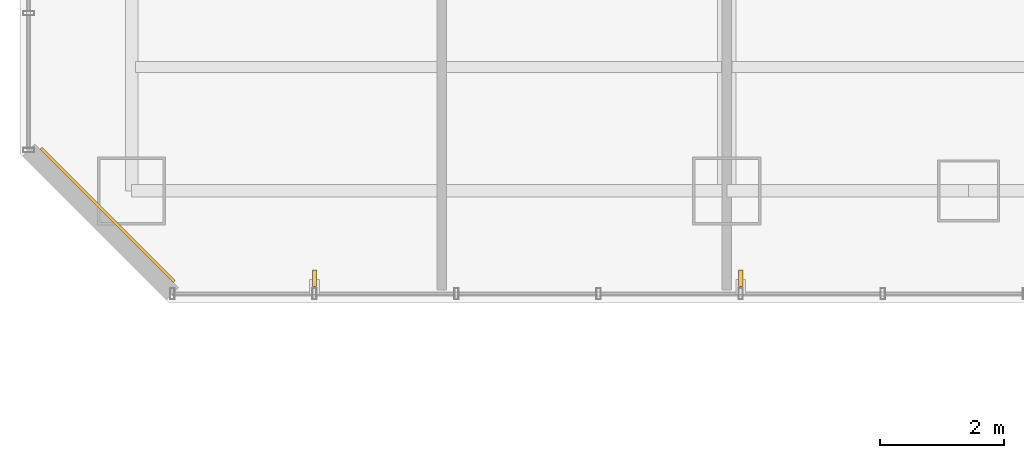
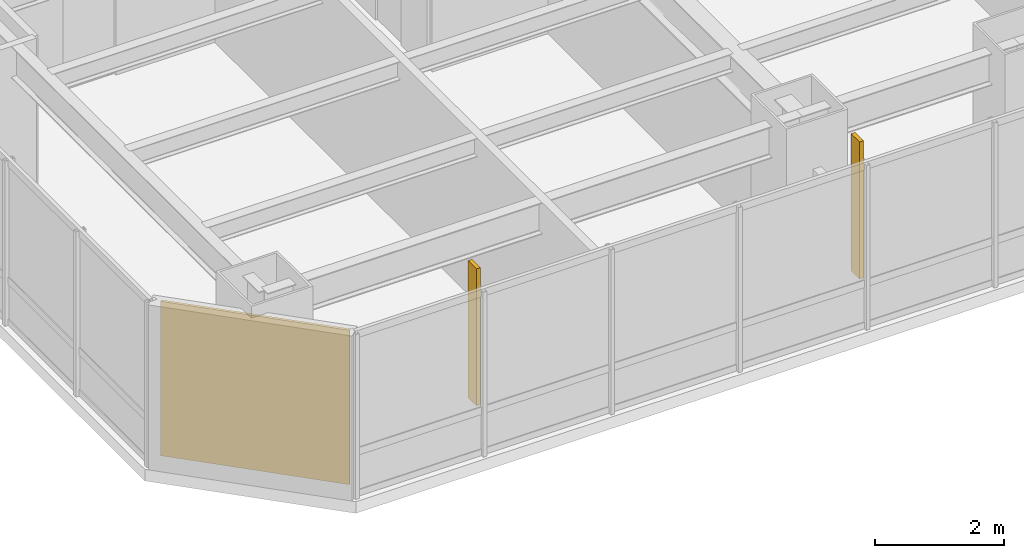
# One storey, part 28 of 32: 2 shading devices, 1 covering.
"""IFC4 building model written with IfcOpenShell, lengths in metres."""

from ifc_helpers import new_model, si_unit, direction, frame, origin, origin_2d, place, context, subcontext, project, spatial, rectangle, extrude, material, layer, layer_set, type_object, element, save


model = new_model("IFC4")

# Units and contexts
model_context = context("Model", 3, precision=1e-05, world=origin(), true_north=direction((0.0, 1.0)))
body_context = subcontext(model_context, "Body", "Model", "MODEL_VIEW")
ifc_project = project(units=[si_unit("LENGTHUNIT", "METRE"), si_unit("AREAUNIT", "SQUARE_METRE"), si_unit("VOLUMEUNIT", "CUBIC_METRE"), si_unit("PLANEANGLEUNIT", "RADIAN"), si_unit("MASSUNIT", "GRAM", prefix="KILO")], contexts=[model_context])

# Site, building, storey
site_placement = place(None, origin())
site = spatial("IfcSite", under=ifc_project, at=site_placement, CompositionType="ELEMENT")
building_placement = place(site_placement, origin())
building = spatial("IfcBuilding", under=site, at=building_placement, Name="Hatsunagi Terrace Concourse", CompositionType="ELEMENT")
storey_placement = place(building_placement, frame((0.0, 0.0, 46.64990234375)))
storey = spatial("IfcBuildingStorey", under=building, at=storey_placement, Name="L11", CompositionType="ELEMENT", Elevation=46.64990234375)

# Shading devices
ifc_material_1 = material(Name="Extruded Unglazed Terracotta Baguette", Category="masonry")
shading_device_type = type_object("IfcShadingDeviceType", Name="TerracottaFinScreen_260x70", PredefinedType="USERDEFINED", material=ifc_material_1)
for number, where, z_axis, x_axis, name in (
    (1, (11.625, 23.7900390625, 0.85009765625), (0.0, 0.0, 1.0), (-1.0, 0.0, 0.0), "Terracotta Baguette Fin Screen SCR-01"),
    (2, (4.75, 23.7900390625, 0.85009765625), (0.0, 0.0, 1.0), (-1.0, 0.0, 0.0), "Terracotta Baguette Fin Screen SCR-01"),
):
    element("IfcShadingDevice", number, at=place(storey_placement, frame(where, z_axis=z_axis, x_axis=x_axis)), inside=storey, type_object=shading_device_type, Name=name, ObjectType="SUNSHADE", PredefinedType="USERDEFINED", context=body_context, shape_type="SweptSolid", body=[
        extrude(rectangle(XDim=0.070068359375, YDim=0.260009765625, at=origin_2d()), origin(), (0.0, 0.0, 1.0), 2.60009765625),
    ])

# Covering
ifc_material_2 = material(Name="Unglazed Warm Terracotta Rainscreen Tile", Category="masonry")
ifc_layer = layer(ifc_material_2, 0.044921875)
ifc_layer_set = layer_set([ifc_layer], Name="TerracottaRainscreenCladding_45")
covering_type = type_object("IfcCoveringType", Name="TerracottaRainscreenCladding_45", PredefinedType="CLADDING", material=ifc_layer_set)
covering_placement = place(storey_placement, frame((1.4140625, 24.81396484375, 0.10009765625), z_axis=(0.0, 0.0, 1.0), x_axis=(-0.707106781187, 0.707106781187, 0.0)))
element("IfcCovering", 3, at=covering_placement, inside=storey, type_object=covering_type, Name="Terracotta Rainscreen Cladding L11-08", PredefinedType="CLADDING", context=body_context, shape_type="SweptSolid", body=[
    extrude(rectangle(XDim=3.0380859375, YDim=0.044921875, at=origin_2d()), origin(), (0.0, 0.0, 1.0), 2.929931640625),
])

save(model, "model.ifc")
